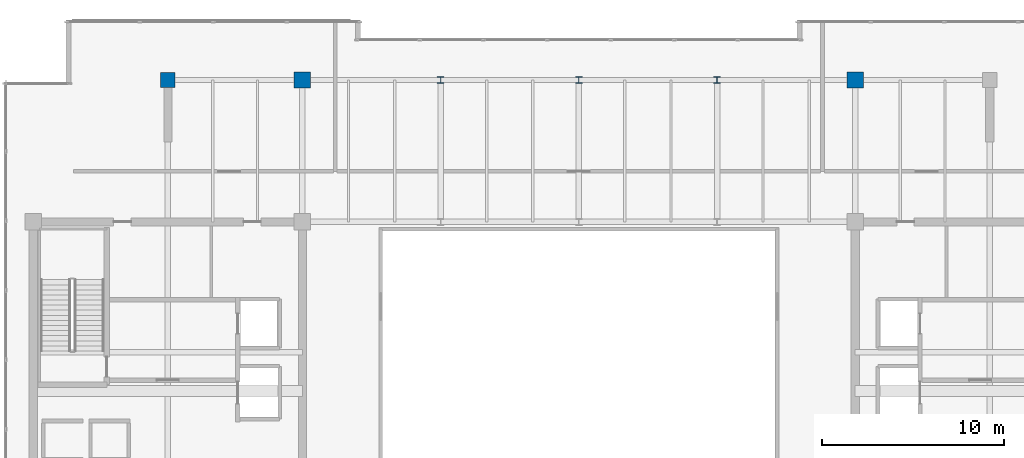
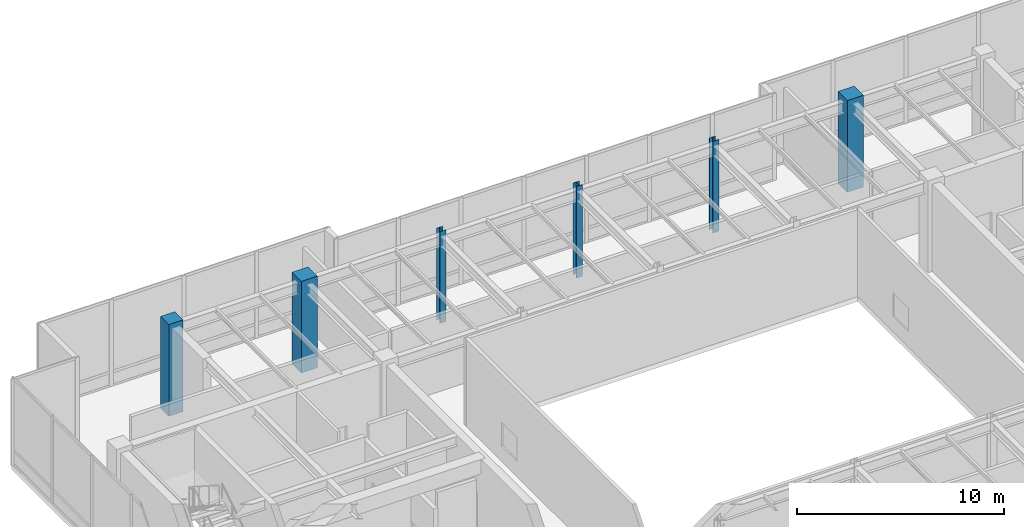
# One storey, part 3 of 30: 6 columns.
"""IFC4 building model written with IfcOpenShell, lengths in metres."""

from ifc_helpers import new_model, si_unit, direction, frame, origin, origin_2d, place, context, subcontext, project, spatial, rectangle, i_section, extrude, source, transform, mapped, material, material_profile, profile_set, type_object, type_shapes, element, save


model = new_model("IFC4")

# Units and contexts
model_context = context("Model", 3, precision=1e-05, world=origin(), true_north=direction((0.0, 1.0)))
body_context = subcontext(model_context, "Body", "Model", "MODEL_VIEW")
ifc_project = project(units=[si_unit("LENGTHUNIT", "METRE"), si_unit("AREAUNIT", "SQUARE_METRE"), si_unit("VOLUMEUNIT", "CUBIC_METRE"), si_unit("PLANEANGLEUNIT", "RADIAN"), si_unit("MASSUNIT", "GRAM", prefix="KILO")], contexts=[model_context])

# Site, building, storey
site_placement = place(None, origin())
site = spatial("IfcSite", under=ifc_project, at=site_placement, CompositionType="ELEMENT")
building_placement = place(site_placement, origin())
building = spatial("IfcBuilding", under=site, at=building_placement, Name="Haelvirn Gate Laboratories", CompositionType="ELEMENT")
storey_placement = place(building_placement, frame((0.0, 0.0, 327.0)))
storey = spatial("IfcBuildingStorey", under=building, at=storey_placement, Name="L78", CompositionType="ELEMENT", Elevation=327.0)

# Columns
ifc_material_1 = material(Name="Concrete C50/60", Category="concrete")
ifc_material_profile_1 = material_profile(ifc_material_1, rectangle(XDim=0.800048828125, YDim=0.800048828125, at=origin_2d()), Name="RC-800x800")
ifc_profile_set_1 = profile_set([ifc_material_profile_1], Name="Concrete C50/60")
column_type_1 = type_object("IfcColumnType", Name="COL-RC-800", PredefinedType="COLUMN", material=ifc_profile_set_1)
shared_shape_1 = source(origin(), body_context, "Body", "SweptSolid", [
    extrude(rectangle(XDim=0.800048828125, YDim=0.800048828125, at=origin_2d()), origin(), (0.0, 0.0, 1.0), 5.39990234375),
])
type_shapes(column_type_1, [shared_shape_1])
column_placement = place(storey_placement, frame((14.800048828125, 41.60009765625, 0.0), z_axis=(0.0, 0.0, 1.0), x_axis=(1.0, 0.0, 0.0)))
element("IfcColumn", 1, at=column_placement, inside=storey, type_object=column_type_1, Name="L78 Column 3G", PredefinedType="COLUMN", context=body_context, shape_type="MappedRepresentation", body=[
    mapped(shared_shape_1, transform((0.0, 0.0, 0.0), scale=1.0)),
])
ifc_material_profile_2 = material_profile(ifc_material_1, rectangle(XDim=0.89990234375, YDim=0.89990234375, at=origin_2d()), Name="RC-900x900")
ifc_profile_set_2 = profile_set([ifc_material_profile_2], Name="Concrete C50/60")
column_type_2 = type_object("IfcColumnType", Name="COL-RC-900", PredefinedType="COLUMN", material=ifc_profile_set_2)
shared_shape_2 = source(origin(), body_context, "Body", "SweptSolid", [
    extrude(rectangle(XDim=0.89990234375, YDim=0.89990234375, at=origin_2d()), origin(), (0.0, 0.0, 1.0), 5.39990234375),
])
type_shapes(column_type_2, [shared_shape_2])
for number, where, z_axis, x_axis, name in (
    (2, (22.199951171875, 41.60009765625, 0.0), (0.0, 0.0, 1.0), (1.0, 0.0, 0.0), "L78 Column 4G"),
    (3, (52.60009765625, 41.60009765625, 0.0), (0.0, 0.0, 1.0), (1.0, 0.0, 0.0), "L78 Column 8G"),
):
    element("IfcColumn", number, at=place(storey_placement, frame(where, z_axis=z_axis, x_axis=x_axis)), inside=storey, type_object=column_type_2, Name=name, PredefinedType="COLUMN", context=body_context, shape_type="MappedRepresentation", body=[
        mapped(shared_shape_2, transform((0.0, 0.0, 0.0), scale=1.0)),
    ])
ifc_material_2 = material(Name="Steel SM355", Category="steel")
ifc_material_profile_3 = material_profile(ifc_material_2, i_section(OverallWidth=0.35009765625, OverallDepth=0.35009765625, WebThickness=0.011962890625, FlangeThickness=0.01904296875, at=origin_2d()), Name="H-350x350x12x19")
ifc_profile_set_3 = profile_set([ifc_material_profile_3], Name="Steel SM355")
column_type_3 = type_object("IfcColumnType", Name="COL-H-350", PredefinedType="COLUMN", material=ifc_profile_set_3)
shared_shape_3 = source(origin(), body_context, "Body", "SweptSolid", [
    extrude(i_section(OverallWidth=0.35009765625, OverallDepth=0.35009765625, WebThickness=0.011962890625, FlangeThickness=0.01904296875, at=origin_2d()), origin(), (0.0, 0.0, 1.0), 5.39990234375),
])
type_shapes(column_type_3, [shared_shape_3])
for number, where, z_axis, x_axis, name in (
    (4, (29.800048828125, 41.60009765625, 0.0), (0.0, 0.0, 1.0), (1.0, 0.0, 0.0), "L78 Column 5G"),
    (5, (37.39990234375, 41.60009765625, 0.0), (0.0, 0.0, 1.0), (1.0, 0.0, 0.0), "L78 Column 6G"),
    (6, (45.0, 41.60009765625, 0.0), (0.0, 0.0, 1.0), (1.0, 0.0, 0.0), "L78 Column 7G"),
):
    element("IfcColumn", number, at=place(storey_placement, frame(where, z_axis=z_axis, x_axis=x_axis)), inside=storey, type_object=column_type_3, Name=name, PredefinedType="COLUMN", context=body_context, shape_type="MappedRepresentation", body=[
        mapped(shared_shape_3, transform((0.0, 0.0, 0.0), scale=1.0)),
    ])

save(model, "model.ifc")
